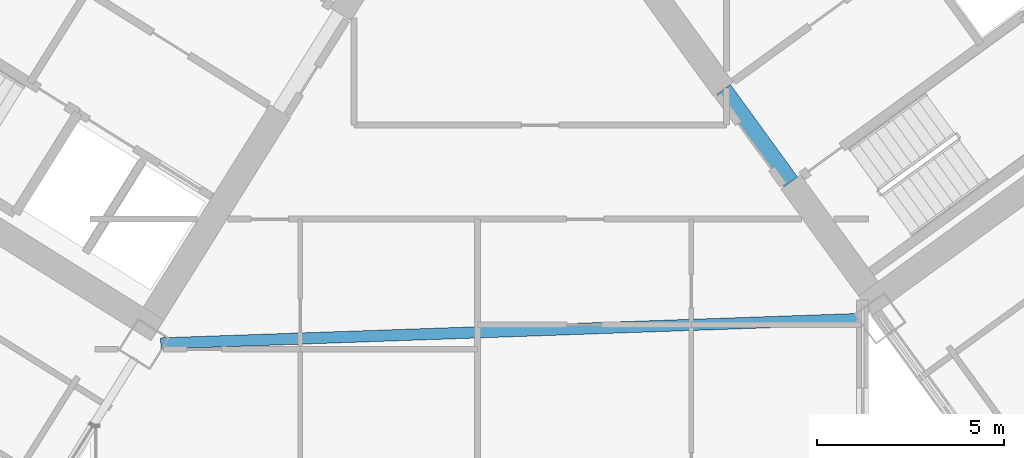
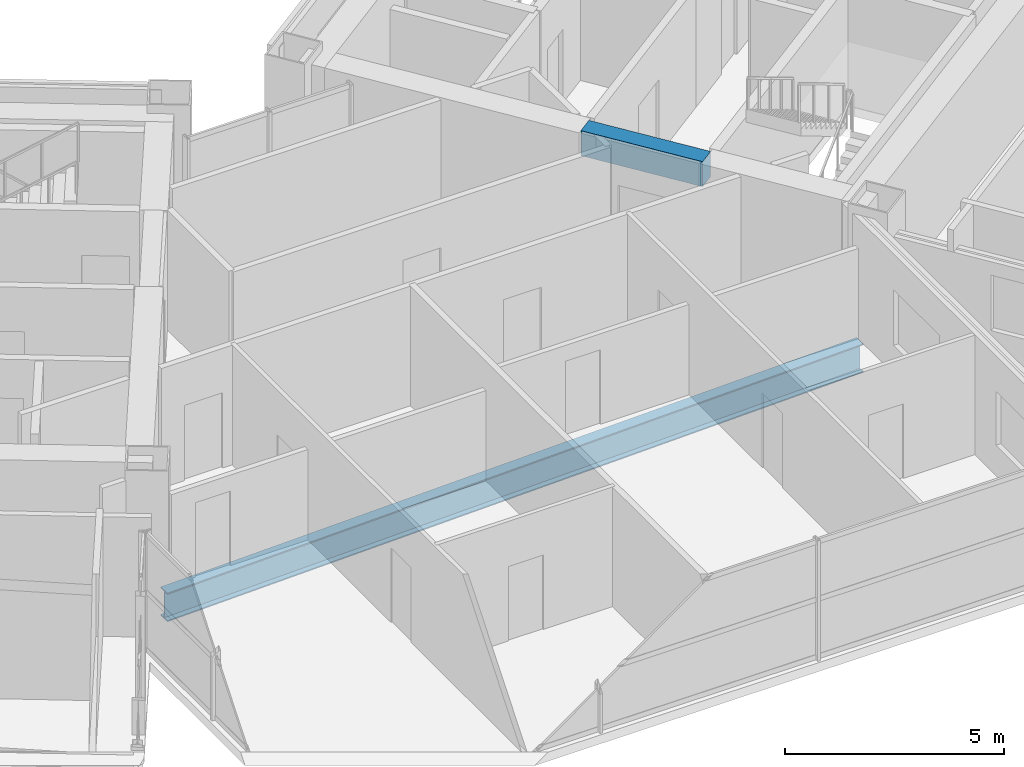
# One storey, part 8 of 28: 2 beams.
"""IFC4 building model written with IfcOpenShell, lengths in metres."""

from ifc_helpers import new_model, si_unit, direction, frame, origin, origin_2d, place, context, subcontext, project, spatial, rectangle, i_section, extrude, source, transform, mapped, material, material_profile, profile_set, type_object, element, save


model = new_model("IFC4")

# Units and contexts
model_context = context("Model", 3, precision=1e-05, world=origin(), true_north=direction((0.0, 1.0)))
body_context = subcontext(model_context, "Body", "Model", "MODEL_VIEW")
ifc_project = project(units=[si_unit("LENGTHUNIT", "METRE"), si_unit("AREAUNIT", "SQUARE_METRE"), si_unit("VOLUMEUNIT", "CUBIC_METRE"), si_unit("PLANEANGLEUNIT", "RADIAN"), si_unit("MASSUNIT", "GRAM", prefix="KILO")], contexts=[model_context])

# Site, building, storey
site_placement = place(None, origin())
site = spatial("IfcSite", under=ifc_project, at=site_placement, CompositionType="ELEMENT")
building_placement = place(site_placement, origin())
building = spatial("IfcBuilding", under=site, at=building_placement, Name="Tlacorven Tower", CompositionType="ELEMENT")
storey_placement = place(building_placement, frame((0.0, 0.0, 27.60009765625)))
storey = spatial("IfcBuildingStorey", under=building, at=storey_placement, Name="L06", CompositionType="ELEMENT", Elevation=27.60009765625)

# Beams
ifc_material_1 = material(Name="Concrete C60/75", Category="concrete")
ifc_material_profile_1 = material_profile(ifc_material_1, rectangle(XDim=0.449951171875, YDim=0.699951171875, at=origin_2d()), Name="RC 450X700")
ifc_profile_set_1 = profile_set([ifc_material_profile_1], Name="Concrete C60/75")
beam_type_1 = type_object("IfcBeamType", Name="BM-LNT-700", PredefinedType="LINTEL", material=ifc_profile_set_1)
shared_shape_1 = source(origin(), body_context, "Body", "SweptSolid", [
    extrude(rectangle(XDim=0.449951171875, YDim=0.699951171875, at=origin_2d()), origin(), (0.0, 0.0, 1.0), 3.050048828125),
])
beam_1_placement = place(storey_placement, frame((50.318359375, 16.416015625, 3.0), z_axis=(-0.587776590479, 0.80902328748, 0.0), x_axis=(-0.80902328748, -0.587776590479, 0.0)))
element("IfcBeam", 1, at=beam_1_placement, inside=storey, type_object=beam_type_1, Name="L06 E core coupling lintel beam E1", PredefinedType="LINTEL", context=body_context, shape_type="MappedRepresentation", body=[
    mapped(shared_shape_1, transform((0.0, 0.0, 0.0), scale=1.0)),
])
ifc_material_2 = material(Name="Steel S355J2", Category="steel")
ifc_material_profile_2 = material_profile(ifc_material_2, i_section(OverallWidth=0.300048828125, OverallDepth=0.800048828125, WebThickness=0.017578125, FlangeThickness=0.032958984375, at=origin_2d()), Name="HEB 800")
ifc_profile_set_2 = profile_set([ifc_material_profile_2], Name="Steel S355J2")
beam_type_2 = type_object("IfcBeamType", Name="BM-POD-800", PredefinedType="BEAM", material=ifc_profile_set_2)
shared_shape_2 = source(origin(), body_context, "Body", "SweptSolid", [
    extrude(i_section(OverallWidth=0.300048828125, OverallDepth=0.800048828125, WebThickness=0.017578125, FlangeThickness=0.032958984375, at=origin_2d()), origin(), (0.0, 0.0, 1.0), 18.771240234375),
])
beam_2_placement = place(storey_placement, frame((33.495849609375, 12.1025390625, -0.650146484375), z_axis=(0.999390514848, 0.034908434954, 0.0), x_axis=(-0.034908434954, 0.999390514848, 0.0)))
element("IfcBeam", 2, at=beam_2_placement, inside=storey, type_object=beam_type_2, Name="L06 Knuckle Link Girder 2", PredefinedType="BEAM", context=body_context, shape_type="MappedRepresentation", body=[
    mapped(shared_shape_2, transform((0.0, 0.0, 0.0), scale=1.0)),
])

save(model, "model.ifc")
